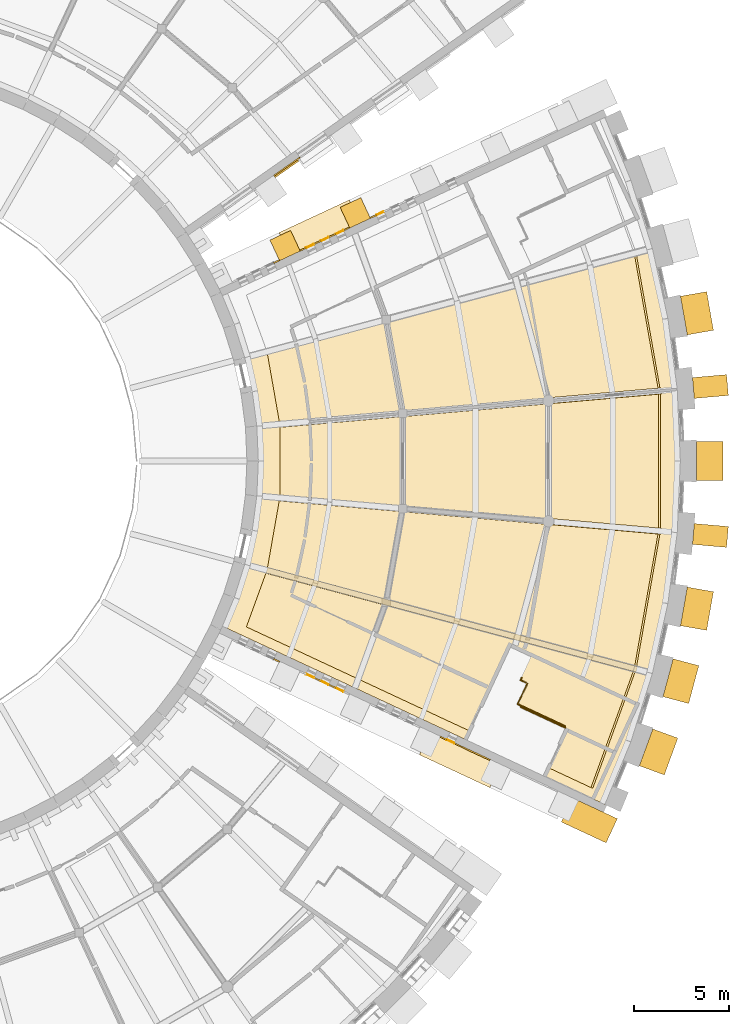
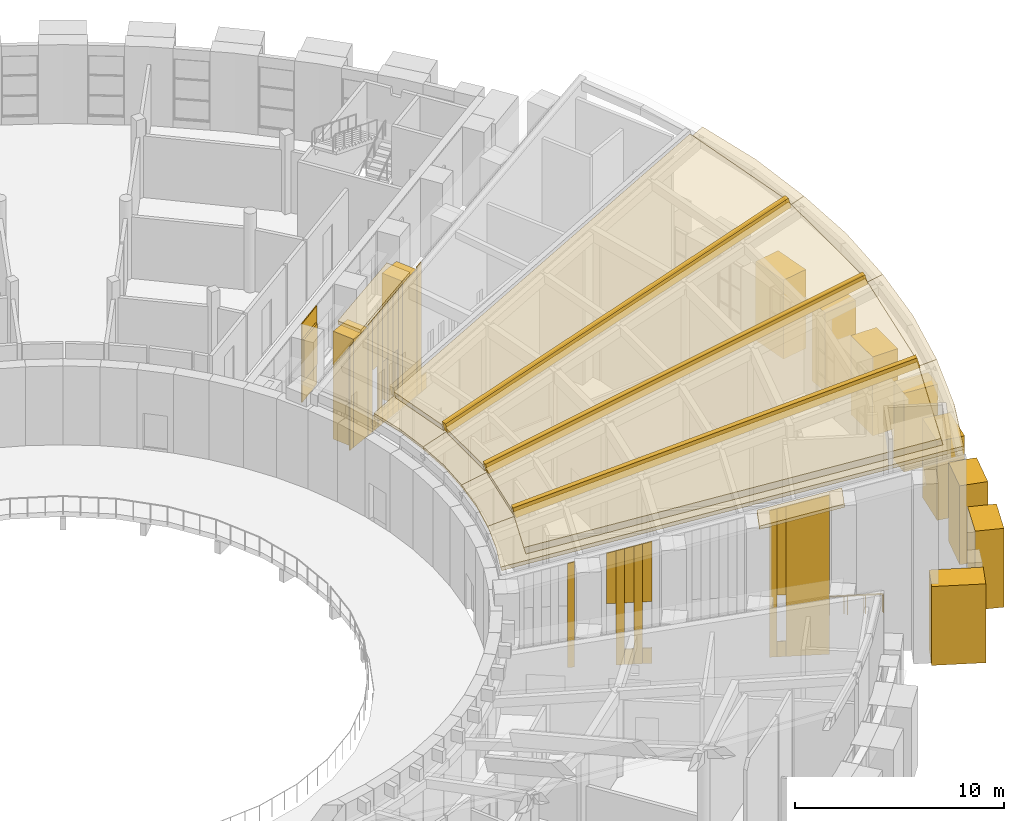
# One storey, part 43 of 50: 50 coverings, 2 railings.
"""IFC4 building model written with IfcOpenShell, lengths in metres."""

from ifc_helpers import new_model, si_unit, direction, frame, origin, origin_2d, place, context, subcontext, project, spatial, polyline, rectangle, circle, outline, extrude, material, layer, layer_set, type_object, element, save


model = new_model("IFC4")

# Units and contexts
model_context = context("Model", 3, precision=1e-05, world=origin(), true_north=direction((0.0, 1.0)))
body_context = subcontext(model_context, "Body", "Model", "MODEL_VIEW")
ifc_project = project(units=[si_unit("LENGTHUNIT", "METRE"), si_unit("AREAUNIT", "SQUARE_METRE"), si_unit("VOLUMEUNIT", "CUBIC_METRE"), si_unit("PLANEANGLEUNIT", "RADIAN"), si_unit("MASSUNIT", "GRAM", prefix="KILO")], contexts=[model_context])

# Site, building, storey
site_placement = place(None, origin())
site = spatial("IfcSite", under=ifc_project, at=site_placement, CompositionType="ELEMENT")
building_placement = place(site_placement, origin())
building = spatial("IfcBuilding", under=site, at=building_placement, Name="Volute Hill Aquarium", CompositionType="ELEMENT")
storey_placement = place(building_placement, frame((0.0, 0.0, 9.199951171875)))
storey = spatial("IfcBuildingStorey", under=building, at=storey_placement, Name="L03", CompositionType="ELEMENT", Elevation=9.199951171875)

# Coverings
ifc_material_1 = material(Name="Aluminium", Category="aluminium")
ifc_layer_1 = layer(ifc_material_1, 0.10009765625)
ifc_layer_set_1 = layer_set([ifc_layer_1], Name="End wall plant louvre panel 100")
covering_type_1 = type_object("IfcCoveringType", Name="End wall plant louvre panel 100", PredefinedType="CLADDING", material=ifc_layer_set_1)
covering_1_placement = place(storey_placement, frame((22.4892578125, 15.380859375, 1.300048828125), z_axis=(0.0, 0.0, 1.0), x_axis=(0.819150254575, 0.573578992319, 0.0)))
element("IfcCovering", 1, at=covering_1_placement, inside=storey, type_object=covering_type_1, Name="End wall plant louvre EWV S5A L03 2", PredefinedType="CLADDING", context=body_context, shape_type="SweptSolid", body=[
    extrude(rectangle(XDim=1.51611328125, YDim=0.10009765625, at=origin_2d()), origin(), (0.0, 0.0, 1.0), 2.39990234375),
])
ifc_material_2 = material(Name="Precast concrete C40/50", Category="concrete")
covering_type_2 = type_object("IfcCoveringType", Name="End wall precast coping C40/50 1350x200", PredefinedType="CLADDING", material=ifc_material_2)
covering_2_placement = place(storey_placement, frame((29.47802734375, -15.4560546875, 8.390625), z_axis=(-0.422632963548, -0.906300931326, 0.0), x_axis=(0.87775982678, -0.409323464263, 0.248981903148)))
element("IfcCovering", 2, at=covering_2_placement, inside=storey, type_object=covering_type_2, Name="End wall coping EWC S4A L03 4", PredefinedType="CLADDING", context=body_context, shape_type="SweptSolid", body=[
    extrude(outline(polyline([(0.0, 0.0), (4.208545075965912, 0.0), (4.25832929927611, 0.19365433701207424), (0.04978422331019887, 0.19365433701207427), (0.0, 0.0)])), origin(), (0.0, 0.0, -1.0), 1.35009765625),
])
covering_3_placement = place(storey_placement, frame((22.66015625, 10.787353515625, 6.294921875), z_axis=(0.42258376343, -0.906323873064, 0.0), x_axis=(0.877780668574, 0.40927517129, 0.24898781505)))
element("IfcCovering", 3, at=covering_3_placement, inside=storey, type_object=covering_type_2, Name="End wall coping EWC S4B L03 2", PredefinedType="CLADDING", context=body_context, shape_type="SweptSolid", body=[
    extrude(outline(polyline([(0.0, 0.0), (4.208445149374588, 0.0), (4.2582305547764046, 0.19365403311876173), (0.049785405401817154, 0.19365403311876184), (0.0, 0.0)])), origin(), (0.0, 0.0, -1.0), 1.35009765625),
])
ifc_material_3 = material(Name="Precast concrete C40/50", Category="concrete")
covering_type_3 = type_object("IfcCoveringType", Name="End wall precast fin C40/50 1200x1200", PredefinedType="CLADDING", material=ifc_material_3)
covering_4_placement = place(storey_placement, frame((22.406494140625, 11.3310546875, 0.0), z_axis=(0.0, 0.0, 1.0), x_axis=(0.906306960471, 0.422620034311, 0.0)))
element("IfcCovering", 4, at=covering_4_placement, inside=storey, type_object=covering_type_3, Name="End wall fin EWF S4B L03 2", PredefinedType="CLADDING", context=body_context, shape_type="SweptSolid", body=[
    extrude(rectangle(XDim=1.199951171875, YDim=1.199951171875, at=origin_2d()), origin(), (0.0, 0.0, 1.0), 6.294921875),
])
covering_5_placement = place(storey_placement, frame((26.100830078125, 13.0537109375, 0.0), z_axis=(0.0, 0.0, 1.0), x_axis=(0.906306960471, 0.422620034311, 0.0)))
element("IfcCovering", 5, at=covering_5_placement, inside=storey, type_object=covering_type_3, Name="End wall fin EWF S4B L03 3", PredefinedType="CLADDING", context=body_context, shape_type="SweptSolid", body=[
    extrude(rectangle(XDim=1.199951171875, YDim=1.199951171875, at=origin_2d()), origin(), (0.0, 0.0, 1.0), 7.3427734375),
])
ifc_material_4 = material(Name="Precast concrete C40/50", Category="concrete")
ifc_layer_2 = layer(ifc_material_4, 0.050048828125)
ifc_layer_set_2 = layer_set([ifc_layer_2], Name="End wall precast infill panel C40/50 50")
covering_type_4 = type_object("IfcCoveringType", Name="End wall precast infill panel C40/50 50", PredefinedType="CLADDING", material=ifc_layer_set_2)
covering_6_placement = place(storey_placement, frame((21.80517578125, -10.44384765625, 0.0), z_axis=(-0.422634868528, -0.90630004298, 0.0), x_axis=(0.90630004298, -0.422634868528, 0.0)))
element("IfcCovering", 6, at=covering_6_placement, inside=storey, type_object=covering_type_4, Name="End wall panel EWP S4A L03 1", PredefinedType="CLADDING", context=body_context, shape_type="SweptSolid", body=[
    extrude(outline(polyline([(0.0, 0.0), (0.32002543169529934, 0.0), (0.32002543169529934, 6.140625), (0.0, 6.058349609375), (0.0, 0.0)])), origin(), (0.0, 0.0, -1.0), 0.050048828125),
])
covering_7_placement = place(storey_placement, frame((23.500244140625, -11.234130859375, 3.60009765625), z_axis=(-0.422529111883, -0.90634935296, 0.0), x_axis=(0.90634935296, -0.422529111883, 0.0)))
element("IfcCovering", 7, at=covering_7_placement, inside=storey, type_object=covering_type_4, Name="End wall panel EWP S4A L03 2", PredefinedType="CLADDING", context=body_context, shape_type="SweptSolid", body=[
    extrude(outline(polyline([(0.0, 0.0), (0.4501122917366558, 0.0), (0.4501122917366558, 3.0546875), (0.0, 2.93896484375), (0.0, 0.0)])), origin(), (0.0, 0.0, -1.0), 0.050048828125),
])
covering_8_placement = place(storey_placement, frame((23.908203125, -11.42431640625, 0.0), z_axis=(-0.422917846092, -0.906168028269, 0.0), x_axis=(0.906168028269, -0.422917846092, 0.0)))
element("IfcCovering", 8, at=covering_8_placement, inside=storey, type_object=covering_type_4, Name="End wall panel EWP S4A L03 2", PredefinedType="CLADDING", context=body_context, shape_type="SweptSolid", body=[
    extrude(outline(polyline([(0.0, 0.0), (0.41275285138278023, 0.0), (0.41275285138278023, 6.760986328125), (0.0, 6.65478515625), (0.0, 0.0)])), origin(), (0.0, 0.0, -1.0), 0.050048828125),
])
covering_9_placement = place(storey_placement, frame((24.2822265625, -11.598876953125, 0.0), z_axis=(-0.422529111883, -0.90634935296, 0.0), x_axis=(0.90634935296, -0.422529111883, 0.0)))
element("IfcCovering", 9, at=covering_9_placement, inside=storey, type_object=covering_type_4, Name="End wall panel EWP S4A L03 2", PredefinedType="CLADDING", context=body_context, shape_type="SweptSolid", body=[
    extrude(outline(polyline([(0.0, 0.0), (0.4501122917366558, 0.0), (0.4501122917366558, 0.900146484375), (0.0, 0.900146484375), (0.0, 0.0)])), origin(), (0.0, 0.0, -1.0), 0.050048828125),
])
covering_10_placement = place(storey_placement, frame((24.2822265625, -11.598876953125, 3.60009765625), z_axis=(-0.422529111883, -0.90634935296, 0.0), x_axis=(0.90634935296, -0.422529111883, 0.0)))
element("IfcCovering", 10, at=covering_10_placement, inside=storey, type_object=covering_type_4, Name="End wall panel EWP S4A L03 2", PredefinedType="CLADDING", context=body_context, shape_type="SweptSolid", body=[
    extrude(outline(polyline([(0.0, 0.0), (0.4501122917366558, 0.0), (0.4501122917366558, 3.276611328125), (0.0, 3.160888671875), (0.0, 0.0)])), origin(), (0.0, 0.0, -1.0), 0.050048828125),
])
covering_11_placement = place(storey_placement, frame((24.690185546875, -11.7890625, 0.0), z_axis=(-0.422917846092, -0.906168028269, 0.0), x_axis=(0.906168028269, -0.422917846092, 0.0)))
element("IfcCovering", 11, at=covering_11_placement, inside=storey, type_object=covering_type_4, Name="End wall panel EWP S4A L03 2", PredefinedType="CLADDING", context=body_context, shape_type="SweptSolid", body=[
    extrude(outline(polyline([(0.0, 0.0), (0.41275285138278023, 0.0), (0.41275285138278023, 6.98291015625), (0.0, 6.876708984375), (0.0, 0.0)])), origin(), (0.0, 0.0, -1.0), 0.050048828125),
])
covering_12_placement = place(storey_placement, frame((25.064208984375, -11.963623046875, 0.0), z_axis=(-0.422291078123, -0.906460283376, 0.0), x_axis=(0.906460283376, -0.422291078123, 0.0)))
element("IfcCovering", 12, at=covering_12_placement, inside=storey, type_object=covering_type_4, Name="End wall panel EWP S4A L03 2", PredefinedType="CLADDING", context=body_context, shape_type="SweptSolid", body=[
    extrude(outline(polyline([(0.0, 0.0), (0.44978787402765147, 0.0), (0.44978787402765147, 0.900146484375), (0.0, 0.900146484375), (0.0, 0.0)])), origin(), (0.0, 0.0, -1.0), 0.050048828125),
])
covering_13_placement = place(storey_placement, frame((25.064208984375, -11.963623046875, 3.60009765625), z_axis=(-0.422291078123, -0.906460283376, 0.0), x_axis=(0.906460283376, -0.422291078123, 0.0)))
element("IfcCovering", 13, at=covering_13_placement, inside=storey, type_object=covering_type_4, Name="End wall panel EWP S4A L03 2", PredefinedType="CLADDING", context=body_context, shape_type="SweptSolid", body=[
    extrude(outline(polyline([(0.0, 0.0), (0.44978787402765147, 0.0), (0.44978787402765147, 3.498291015625), (0.0, 3.3828125), (0.0, 0.0)])), origin(), (0.0, 0.0, -1.0), 0.050048828125),
])
covering_14_placement = place(storey_placement, frame((30.571044921875, -14.531494140625, 0.0), z_axis=(-0.422503748493, -0.906361176634, 0.0), x_axis=(0.906361176634, -0.422503748493, 0.0)))
element("IfcCovering", 14, at=covering_14_placement, inside=storey, type_object=covering_type_4, Name="End wall panel EWP S4A L03 4", PredefinedType="CLADDING", context=body_context, shape_type="SweptSolid", body=[
    extrude(outline(polyline([(0.0, 0.0), (0.35017255888939314, 0.0), (0.35017255888939314, 8.635009765625), (0.0, 8.544921875), (0.0, 0.0)])), origin(), (0.0, 0.0, -1.0), 0.050048828125),
])
covering_15_placement = place(storey_placement, frame((30.888427734375, -14.679443359375, 0.0), z_axis=(-0.422529111883, -0.90634935296, 0.0), x_axis=(0.90634935296, -0.422529111883, 0.0)))
element("IfcCovering", 15, at=covering_15_placement, inside=storey, type_object=covering_type_4, Name="End wall panel EWP S4A L03 4", PredefinedType="CLADDING", context=body_context, shape_type="SweptSolid", body=[
    extrude(outline(polyline([(0.0, 0.0), (0.4501122917366558, 0.0), (0.4501122917366558, 0.900146484375), (0.0, 0.900146484375), (0.0, 0.0)])), origin(), (0.0, 0.0, -1.0), 0.050048828125),
])
covering_16_placement = place(storey_placement, frame((30.888427734375, -14.679443359375, 3.60009765625), z_axis=(-0.422529111883, -0.90634935296, 0.0), x_axis=(0.90634935296, -0.422529111883, 0.0)))
element("IfcCovering", 16, at=covering_16_placement, inside=storey, type_object=covering_type_4, Name="End wall panel EWP S4A L03 4", PredefinedType="CLADDING", context=body_context, shape_type="SweptSolid", body=[
    extrude(outline(polyline([(0.0, 0.0), (0.4501122917366558, 0.0), (0.4501122917366558, 5.150634765625), (0.0, 5.034912109375), (0.0, 0.0)])), origin(), (0.0, 0.0, -1.0), 0.050048828125),
])
covering_17_placement = place(storey_placement, frame((31.29638671875, -14.86962890625, 0.0), z_axis=(-0.42258282485, -0.906324310687, 0.0), x_axis=(0.906324310687, -0.42258282485, 0.0)))
element("IfcCovering", 17, at=covering_17_placement, inside=storey, type_object=covering_type_4, Name="End wall panel EWP S4A L03 4", PredefinedType="CLADDING", context=body_context, shape_type="SweptSolid", body=[
    extrude(outline(polyline([(0.0, 0.0), (2.0757996161714036, 0.0), (2.0757996161714036, 9.2841796875), (0.0, 8.750732421875), (0.0, 0.0)])), origin(), (0.0, 0.0, -1.0), 0.050048828125),
])
covering_18_placement = place(storey_placement, frame((21.826171875, 10.3984375, 0.0), z_axis=(0.422634868528, -0.90630004298, 0.0), x_axis=(0.90630004298, 0.422634868528, 0.0)))
element("IfcCovering", 18, at=covering_18_placement, inside=storey, type_object=covering_type_4, Name="End wall panel EWP S4B L03 1", PredefinedType="CLADDING", context=body_context, shape_type="SweptSolid", body=[
    extrude(outline(polyline([(0.0, 0.0), (0.32002543169529934, 0.0), (0.32002543169529934, 6.140625), (0.0, 6.058349609375), (0.0, 0.0)])), origin(), (0.0, 0.0, -1.0), 0.050048828125),
])
covering_19_placement = place(storey_placement, frame((23.203857421875, 11.040771484375, 0.0), z_axis=(0.422503748493, -0.906361176634, 0.0), x_axis=(0.906361176634, 0.422503748493, 0.0)))
element("IfcCovering", 19, at=covering_19_placement, inside=storey, type_object=covering_type_4, Name="End wall panel EWP S4B L03 2", PredefinedType="CLADDING", context=body_context, shape_type="SweptSolid", body=[
    extrude(outline(polyline([(0.0, 0.0), (0.35017255888939314, 0.0), (0.35017255888939314, 6.539062500000002), (0.0, 6.449218750000002), (0.0, 0.0)])), origin(), (0.0, 0.0, -1.0), 0.050048828125),
])
covering_20_placement = place(storey_placement, frame((23.521240234375, 11.188720703125, 0.0), z_axis=(0.422529111883, -0.90634935296, 0.0), x_axis=(0.90634935296, 0.422529111883, 0.0)))
element("IfcCovering", 20, at=covering_20_placement, inside=storey, type_object=covering_type_4, Name="End wall panel EWP S4B L03 2", PredefinedType="CLADDING", context=body_context, shape_type="SweptSolid", body=[
    extrude(outline(polyline([(0.0, 0.0), (0.4501122917366558, 0.0), (0.4501122917366558, 0.900146484375), (0.0, 0.900146484375), (0.0, 0.0)])), origin(), (0.0, 0.0, -1.0), 0.050048828125),
])
covering_21_placement = place(storey_placement, frame((23.521240234375, 11.188720703125, 3.60009765625), z_axis=(0.422529111883, -0.90634935296, 0.0), x_axis=(0.90634935296, 0.422529111883, 0.0)))
element("IfcCovering", 21, at=covering_21_placement, inside=storey, type_object=covering_type_4, Name="End wall panel EWP S4B L03 2", PredefinedType="CLADDING", context=body_context, shape_type="SweptSolid", body=[
    extrude(outline(polyline([(0.0, 0.0), (0.4501122917366558, 0.0), (0.4501122917366558, 3.0546875), (0.0, 2.93896484375), (0.0, 0.0)])), origin(), (0.0, 0.0, -1.0), 0.050048828125),
])
covering_22_placement = place(storey_placement, frame((23.92919921875, 11.37890625, 0.0), z_axis=(0.422917846092, -0.906168028269, 0.0), x_axis=(0.906168028269, 0.422917846092, 0.0)))
element("IfcCovering", 22, at=covering_22_placement, inside=storey, type_object=covering_type_4, Name="End wall panel EWP S4B L03 2", PredefinedType="CLADDING", context=body_context, shape_type="SweptSolid", body=[
    extrude(outline(polyline([(0.0, 0.0), (0.41275285138278023, 0.0), (0.41275285138278023, 6.760986328125), (0.0, 6.65478515625), (0.0, 0.0)])), origin(), (0.0, 0.0, -1.0), 0.050048828125),
])
covering_23_placement = place(storey_placement, frame((24.30322265625, 11.553466796875, 0.0), z_axis=(0.422529111883, -0.90634935296, 0.0), x_axis=(0.90634935296, 0.422529111883, 0.0)))
element("IfcCovering", 23, at=covering_23_placement, inside=storey, type_object=covering_type_4, Name="End wall panel EWP S4B L03 2", PredefinedType="CLADDING", context=body_context, shape_type="SweptSolid", body=[
    extrude(outline(polyline([(0.0, 0.0), (0.4501122917366558, 0.0), (0.4501122917366558, 0.900146484375), (0.0, 0.900146484375), (0.0, 0.0)])), origin(), (0.0, 0.0, -1.0), 0.050048828125),
])
covering_24_placement = place(storey_placement, frame((24.30322265625, 11.553466796875, 3.60009765625), z_axis=(0.422529111883, -0.90634935296, 0.0), x_axis=(0.90634935296, 0.422529111883, 0.0)))
element("IfcCovering", 24, at=covering_24_placement, inside=storey, type_object=covering_type_4, Name="End wall panel EWP S4B L03 2", PredefinedType="CLADDING", context=body_context, shape_type="SweptSolid", body=[
    extrude(outline(polyline([(0.0, 0.0), (0.4501122917366558, 0.0), (0.4501122917366558, 3.276611328125), (0.0, 3.160888671875), (0.0, 0.0)])), origin(), (0.0, 0.0, -1.0), 0.050048828125),
])
covering_25_placement = place(storey_placement, frame((24.711181640625, 11.74365234375, 0.0), z_axis=(0.422917846092, -0.906168028269, 0.0), x_axis=(0.906168028269, 0.422917846092, 0.0)))
element("IfcCovering", 25, at=covering_25_placement, inside=storey, type_object=covering_type_4, Name="End wall panel EWP S4B L03 2", PredefinedType="CLADDING", context=body_context, shape_type="SweptSolid", body=[
    extrude(outline(polyline([(0.0, 0.0), (0.41275285138278023, 0.0), (0.41275285138278023, 6.98291015625), (0.0, 6.876708984375), (0.0, 0.0)])), origin(), (0.0, 0.0, -1.0), 0.050048828125),
])
covering_26_placement = place(storey_placement, frame((25.085205078125, 11.918212890625, 0.0), z_axis=(0.422291078123, -0.906460283376, 0.0), x_axis=(0.906460283376, 0.422291078123, 0.0)))
element("IfcCovering", 26, at=covering_26_placement, inside=storey, type_object=covering_type_4, Name="End wall panel EWP S4B L03 2", PredefinedType="CLADDING", context=body_context, shape_type="SweptSolid", body=[
    extrude(outline(polyline([(0.0, 0.0), (0.44978787402765147, 0.0), (0.44978787402765147, 0.900146484375), (0.0, 0.900146484375), (0.0, 0.0)])), origin(), (0.0, 0.0, -1.0), 0.050048828125),
])
covering_27_placement = place(storey_placement, frame((25.085205078125, 11.918212890625, 3.60009765625), z_axis=(0.422291078123, -0.906460283376, 0.0), x_axis=(0.906460283376, 0.422291078123, 0.0)))
element("IfcCovering", 27, at=covering_27_placement, inside=storey, type_object=covering_type_4, Name="End wall panel EWP S4B L03 2", PredefinedType="CLADDING", context=body_context, shape_type="SweptSolid", body=[
    extrude(outline(polyline([(0.0, 0.0), (0.44978787402765147, 0.0), (0.44978787402765147, 3.498291015625), (0.0, 3.3828125), (0.0, 0.0)])), origin(), (0.0, 0.0, -1.0), 0.050048828125),
])
covering_28_placement = place(storey_placement, frame((25.492919921875, 12.108154296875, 0.0), z_axis=(0.422809198631, -0.906218727214, 0.0), x_axis=(0.906218727214, 0.422809198631, 0.0)))
element("IfcCovering", 28, at=covering_28_placement, inside=storey, type_object=covering_type_4, Name="End wall panel EWP S4B L03 2", PredefinedType="CLADDING", context=body_context, shape_type="SweptSolid", body=[
    extrude(outline(polyline([(0.0, 0.0), (0.35049700870951644, 0.0), (0.35049700870951644, 7.1884765625), (0.0, 7.098388671875), (0.0, 0.0)])), origin(), (0.0, 0.0, -1.0), 0.050048828125),
])
covering_29_placement = place(storey_placement, frame((26.89794921875, 12.763427734375, 0.0), z_axis=(0.422503748493, -0.906361176634, 0.0), x_axis=(0.906361176634, 0.422503748493, 0.0)))
element("IfcCovering", 29, at=covering_29_placement, inside=storey, type_object=covering_type_4, Name="End wall panel EWP S4B L03 3", PredefinedType="CLADDING", context=body_context, shape_type="SweptSolid", body=[
    extrude(outline(polyline([(0.0, 0.0), (0.35017255888939314, 0.0), (0.35017255888939314, 7.5869140625), (0.0, 7.4970703125), (0.0, 0.0)])), origin(), (0.0, 0.0, -1.0), 0.050048828125),
])
covering_30_placement = place(storey_placement, frame((27.21533203125, 12.911376953125, 0.0), z_axis=(0.422529111883, -0.90634935296, 0.0), x_axis=(0.90634935296, 0.422529111883, 0.0)))
element("IfcCovering", 30, at=covering_30_placement, inside=storey, type_object=covering_type_4, Name="End wall panel EWP S4B L03 3", PredefinedType="CLADDING", context=body_context, shape_type="SweptSolid", body=[
    extrude(outline(polyline([(0.0, 0.0), (0.4501122917366558, 0.0), (0.4501122917366558, 0.900146484375), (0.0, 0.900146484375), (0.0, 0.0)])), origin(), (0.0, 0.0, -1.0), 0.050048828125),
])
covering_31_placement = place(storey_placement, frame((21.839599609375, 14.98681640625, 0.0), z_axis=(0.573659010364, -0.81909421914, 0.0), x_axis=(0.81909421914, 0.573659010364, 0.0)))
element("IfcCovering", 31, at=covering_31_placement, inside=storey, type_object=covering_type_4, Name="End wall panel EWP S5A L03 2", PredefinedType="CLADDING", context=body_context, shape_type="SweptSolid", body=[
    extrude(outline(polyline([(0.0, 0.0), (1.6661649683999993, 0.0), (1.6661649683999993, 4.60009765625), (0.0, 4.60009765625), (0.0, 0.0)])), origin(), (0.0, 0.0, -1.0), 0.050048828125),
])
ifc_material_5 = material(Name="Sedum blanket")
ifc_layer_3 = layer(ifc_material_5, 0.219970703125)
ifc_layer_set_3 = layer_set([ifc_layer_3], Name="Green roof build-up sedum 220")
covering_type_5 = type_object("IfcCoveringType", Name="Green roof build-up sedum 220", PredefinedType="ROOFING", material=ifc_layer_set_3)
covering_32_placement = place(storey_placement, frame((20.284423828125, -5.435302734375, 5.727294921875), z_axis=(-0.234812587383, 0.085451891563, 0.968277348199), x_axis=(-0.300780290562, -0.95362747972, 0.011218142971)))
element("IfcCovering", 32, at=covering_32_placement, inside=storey, type_object=covering_type_5, Name="Planted roof RF S4 1", PredefinedType="ROOFING", context=body_context, shape_type="SweptSolid", body=[
    extrude(outline(polyline([(0.0, 0.0), (1.8320218956754337, 6.938893903907228e-18), (3.4572424839364952, -0.1465117125198145), (6.4166863274483745, 22.583089950032548), (2.8624386082915083, 22.903811355588243), (-0.9064768756216365, 22.903442503480097), (0.0, 0.0)])), origin(), (0.0, 0.0, -1.0), 0.219970703125),
])
covering_33_placement = place(storey_placement, frame((41.7275390625, -11.180908203125, 11.434326171875), z_axis=(-0.246081485356, 0.043393102408, 0.968277305955), x_axis=(0.21642074445, 0.976235345181, 0.01125220831)))
element("IfcCovering", 33, at=covering_33_placement, inside=storey, type_object=covering_type_5, Name="Planted roof RF S4 2", PredefinedType="ROOFING", context=body_context, shape_type="SweptSolid", body=[
    extrude(outline(polyline([(0.0, 0.0), (3.76900939420654, -2.949029909160572e-17), (7.522533720003687, 0.33913986606495006), (4.5610086210362235, 23.06832539497853), (2.7364573815680515, 22.903636452683685), (0.9041114712597048, 22.903535999624523), (0.0, 0.0)])), origin(), (0.0, 0.0, -1.0), 0.219970703125),
])
covering_34_placement = place(storey_placement, frame((43.03515625, -3.76513671875, 11.434326171875), z_axis=(-0.249877140156, 0.0, 0.968277550513), x_axis=(0.043660369758, 0.998982894471, 0.011267149928)))
element("IfcCovering", 34, at=covering_34_placement, inside=storey, type_object=covering_type_5, Name="Planted roof RF S4 3", PredefinedType="ROOFING", context=body_context, shape_type="SweptSolid", body=[
    extrude(outline(polyline([(0.0, 0.0), (3.768970159138619, 5.204170427930421e-18), (7.522614354749592, 0.33954574542090776), (4.559917184529748, 23.068578527282714), (2.7351731956767433, 22.903705854404098), (0.9029959150732776, 22.903517286625178), (0.0, 0.0)])), origin(), (0.0, 0.0, -1.0), 0.219970703125),
])
covering_35_placement = place(storey_placement, frame((43.03515625, 3.76513671875, 11.434326171875), z_axis=(-0.246081485356, -0.043393102408, 0.968277305955), x_axis=(-0.130526082076, 0.991380977069, 0.011256118512)))
element("IfcCovering", 35, at=covering_35_placement, inside=storey, type_object=covering_type_5, Name="Planted roof RF S4 4", PredefinedType="ROOFING", context=body_context, shape_type="SweptSolid", body=[
    extrude(outline(polyline([(0.0, 0.0), (3.7688142317054414, 6.071532165918825e-17), (7.5225329282384, 0.3391574279240427), (4.561095763721694, 23.068417617362215), (2.736174557100685, 22.903632500499494), (0.9042057673535028, 22.903469554848524), (0.0, 0.0)])), origin(), (0.0, 0.0, -1.0), 0.219970703125),
])

# Railings
ifc_material_6 = material(Name="Stainless steel 1.4301", Category="steel")
railing_type = type_object("IfcRailingType", Name="Guard 1100 stainless", PredefinedType="GUARDRAIL", material=ifc_material_6)
railing_1_placement = place(storey_placement, frame((37.14501953125, -14.0439453125, 0.0)))
element("IfcRailing", 36, at=railing_1_placement, inside=storey, type_object=railing_type, Name="gd/S4-A/L03/edge", PredefinedType="GUARDRAIL", context=body_context, shape_type="SweptSolid", body=[
    extrude(circle(Radius=0.02392578125, at=origin_2d()), frame((0.0, 0.0, 1.076171875), z_axis=(-0.906300648467, 0.422633570115, 0.0), x_axis=(-0.422633570115, -0.906300648467, 0.0)), (0.0, 0.0, 1.0), 2.60009765625),
    extrude(circle(Radius=0.02099609375, at=origin_2d()), origin(), (0.0, 0.0, 1.0), 1.052001953125),
    extrude(circle(Radius=0.02099609375, at=origin_2d()), frame((-0.785400390625, 0.3662109375, 0.0)), (0.0, 0.0, 1.0), 1.052001953125),
    extrude(circle(Radius=0.02099609375, at=origin_2d()), frame((-1.571044921875, 0.732666015625, 0.0)), (0.0, 0.0, 1.0), 1.052001953125),
    extrude(circle(Radius=0.02099609375, at=origin_2d()), frame((-2.3564453125, 1.098876953125, 0.0)), (0.0, 0.0, 1.0), 1.052001953125),
])
railing_2_placement = place(storey_placement, frame((34.84912109375, -11.3955078125, 0.0)))
element("IfcRailing", 37, at=railing_2_placement, inside=storey, type_object=railing_type, Name="gd/S4-A/L03/well", PredefinedType="GUARDRAIL", context=body_context, shape_type="SweptSolid", body=[
    extrude(circle(Radius=0.02392578125, at=origin_2d()), frame((0.0, 0.0, 1.076171875), z_axis=(-0.422974523056, -0.906141574394, 0.0), x_axis=(0.906141574394, -0.422974523056, 0.0)), (0.0, 0.0, 1.0), 0.150146484375),
    extrude(circle(Radius=0.02392578125, at=origin_2d()), frame((-0.0634765625, -0.135986328125, 1.076171875), z_axis=(0.906416906794, -0.422384174748, 0.0), x_axis=(0.422384174748, 0.906416906794, 0.0)), (0.0, 0.0, 1.0), 0.39990234375),
    extrude(circle(Radius=0.02392578125, at=origin_2d()), frame((0.299072265625, -0.304931640625, 1.076171875), z_axis=(-0.422551314709, -0.90633900194, 0.0), x_axis=(0.90633900194, -0.422551314709, 0.0)), (0.0, 0.0, 1.0), 1.199951171875),
    extrude(circle(Radius=0.02392578125, at=origin_2d()), frame((-0.2080078125, -1.392578125, 1.076171875), z_axis=(0.906325974127, -0.422579257209, 0.0), x_axis=(0.422579257209, 0.906325974127, 0.0)), (0.0, 0.0, 1.0), 2.75),
    extrude(circle(Radius=0.02099609375, at=origin_2d()), origin(), (0.0, 0.0, 1.0), 1.052001953125),
    extrude(circle(Radius=0.02099609375, at=origin_2d()), frame((-0.0634765625, -0.135986328125, 0.0)), (0.0, 0.0, 1.0), 1.052001953125),
    extrude(circle(Radius=0.02099609375, at=origin_2d()), frame((0.299072265625, -0.304931640625, 0.0)), (0.0, 0.0, 1.0), 1.052001953125),
    extrude(circle(Radius=0.02099609375, at=origin_2d()), frame((0.04541015625, -0.8486328125, 0.0)), (0.0, 0.0, 1.0), 1.052001953125),
    extrude(circle(Radius=0.02099609375, at=origin_2d()), frame((-0.2080078125, -1.392578125, 0.0)), (0.0, 0.0, 1.0), 1.052001953125),
    extrude(circle(Radius=0.02099609375, at=origin_2d()), frame((0.622802734375, -1.780029296875, 0.0)), (0.0, 0.0, 1.0), 1.052001953125),
    extrude(circle(Radius=0.02099609375, at=origin_2d()), frame((1.45361328125, -2.167236328125, 0.0)), (0.0, 0.0, 1.0), 1.052001953125),
    extrude(circle(Radius=0.02099609375, at=origin_2d()), frame((2.284423828125, -2.5546875, 0.0)), (0.0, 0.0, 1.0), 1.052001953125),
])

# Coverings
ifc_material_7 = material(Name="Planted growing medium")
ifc_layer_4 = layer(ifc_material_7, 0.39990234375)
ifc_layer_set_4 = layer_set([ifc_layer_4], Name="Planted roof bed 400")
covering_type_6 = type_object("IfcCoveringType", Name="Planted roof bed 400", PredefinedType="CLADDING", material=ifc_layer_set_4)
covering_36_placement = place(storey_placement, frame((40.722900390625, -11.06689453125, 11.59375), z_axis=(-0.23481072321, 0.085466081107, 0.968276547917), x_axis=(-0.93550529489, 0.250667697852, -0.248989052946)))
element("IfcCovering", 38, at=covering_36_placement, inside=storey, type_object=covering_type_6, Name="Planted roof bed RB S4 1", PredefinedType="CLADDING", context=body_context, shape_type="SweptSolid", body=[
    extrude(outline(polyline([(0.0, 0.0), (20.649925159579297, -6.938893903907228e-16), (20.904745450288388, 3.0079492379210317), (0.5491437014662197, 6.481640805947693), (0.0, 0.0)])), origin(), (0.0, 0.0, -1.0), 0.39990234375),
])
covering_37_placement = place(storey_placement, frame((21.482421875, -5.600830078125, 6.4521484375), z_axis=(-0.24608527994, 0.043390684186, 0.968276449947), x_axis=(0.935505172478, -0.250667684524, 0.248989526289)))
element("IfcCovering", 39, at=covering_37_placement, inside=storey, type_object=covering_type_6, Name="Planted roof bed RB S4 2", PredefinedType="CLADDING", context=body_context, shape_type="SweptSolid", body=[
    extrude(outline(polyline([(0.0, 0.0), (20.649925159574938, 4.0245584642661925e-16), (20.054171778960548, 7.0317116158632444), (-0.30137553461702027, 3.558118134990696), (0.0, 0.0)])), origin(), (0.0, 0.0, -1.0), 0.39990234375),
])
covering_38_placement = place(storey_placement, frame((22.128662109375, -1.785400390625, 6.4521484375), z_axis=(-0.24988232524, 0.0, 0.968276212417), x_axis=(0.964820083384, -0.08441555027, 0.248990404579)))
element("IfcCovering", 40, at=covering_38_placement, inside=storey, type_object=covering_type_6, Name="Planted roof bed RB S4 3", PredefinedType="CLADDING", context=body_context, shape_type="SweptSolid", body=[
    extrude(outline(polyline([(0.0, 0.0), (20.649798016102967, -1.6653345369377348e-16), (20.054066596153394, 7.031939453288415), (-0.30143111285485635, 3.5580552979933704), (0.0, 0.0)])), origin(), (0.0, 0.0, -1.0), 0.39990234375),
])
covering_39_placement = place(storey_placement, frame((22.1025390625, 2.084228515625, 6.4521484375), z_axis=(-0.24608527994, -0.043390684186, 0.968276449947), x_axis=(0.964820249792, 0.084415579612, 0.248989749808)))
element("IfcCovering", 41, at=covering_39_placement, inside=storey, type_object=covering_type_6, Name="Planted roof bed RB S4 4", PredefinedType="CLADDING", context=body_context, shape_type="SweptSolid", body=[
    extrude(outline(polyline([(0.0, 0.0), (20.649798016098252, 3.0531133177191805e-16), (20.054226984733646, 7.031727062804619), (-0.30144566058098166, 3.5581121945678245), (0.0, 0.0)])), origin(), (0.0, 0.0, -1.0), 0.39990234375),
])
ifc_material_8 = material(Name="Precast concrete C30/37", Category="concrete")
covering_type_7 = type_object("IfcCoveringType", Name="Planted roof kerb precast concrete C30/37 300x600", PredefinedType="CLADDING", material=ifc_material_8)
covering_40_placement = place(storey_placement, frame((40.800537109375, -10.777099609375, 11.793701171875), z_axis=(-0.23494689432, 0.084967877998, 0.968287362593), x_axis=(-0.935505338886, 0.250667713866, -0.248988871522)))
element("IfcCovering", 42, at=covering_40_placement, inside=storey, type_object=covering_type_7, Name="Planted roof kerb RK S4 1.2", PredefinedType="CLADDING", context=body_context, shape_type="SweptSolid", body=[
    extrude(outline(polyline([(0.0, 0.0), (20.649925159579663, 1.096345236817342e-15), (20.648271209842335, 0.3000821105616131), (-0.0016539497373244875, 0.30008211056161216), (0.0, 0.0)])), origin(), (0.0, 0.0, -1.0), 0.60009765625),
])
covering_41_placement = place(storey_placement, frame((22.1025390625, -2.084228515625, 6.65869140625), z_axis=(-0.246091811119, 0.043267591497, 0.968280298274), x_axis=(0.964821492015, -0.084415797933, 0.248984862201)))
element("IfcCovering", 43, at=covering_41_placement, inside=storey, type_object=covering_type_7, Name="Planted roof kerb RK S4 2.2", PredefinedType="CLADDING", context=body_context, shape_type="SweptSolid", body=[
    extrude(outline(polyline([(0.0, 0.0), (20.64979801576469, -2.7755575615628914e-17), (20.648074233253475, 0.3000406747652287), (-0.0016629951913437826, 0.30003555477851424), (0.0, 0.0)])), origin(), (0.0, 0.0, -1.0), 0.60009765625),
])
covering_42_placement = place(storey_placement, frame((22.128662109375, 1.785400390625, 6.65869140625), z_axis=(-0.249869500613, -8.8521097e-05, 0.968279517922), x_axis=(0.964821513637, 0.084415550778, 0.24898486221)))
element("IfcCovering", 44, at=covering_42_placement, inside=storey, type_object=covering_type_7, Name="Planted roof kerb RK S4 3.2", PredefinedType="CLADDING", context=body_context, shape_type="SweptSolid", body=[
    extrude(outline(polyline([(0.0, 0.0), (20.649798015764695, 9.71445146547012e-17), (20.648117633941375, 0.3000409209702408), (-0.001619594503444508, 0.30003579219473836), (0.0, 0.0)])), origin(), (0.0, 0.0, -1.0), 0.60009765625),
])
ifc_material_9 = material(Name="Precast concrete C40/50", Category="concrete")
covering_type_8 = type_object("IfcCoveringType", Name="Projecting pier precast concrete C40/50 1100x1800", PredefinedType="CLADDING", material=ifc_material_9)
for number, where, z_axis, x_axis, name in (
    (45, (44.78125, -3.917724609375, 0.0), (0.0, 0.0, 1.0), (0.087155742748, 0.996194698092, 0.0), "Projecting pier PP S4 L03 4"),
    (46, (44.78125, 3.917724609375, 0.0), (0.0, 0.0, 1.0), (-0.087155742748, 0.996194698092, 0.0), "Projecting pier PP S4 L03 6"),
):
    element("IfcCovering", number, at=place(storey_placement, frame(where, z_axis=z_axis, x_axis=x_axis)), inside=storey, type_object=covering_type_8, Name=name, PredefinedType="CLADDING", context=body_context, shape_type="SweptSolid", body=[
        extrude(rectangle(XDim=1.10009765625, YDim=1.800048828125, at=origin_2d()), origin(), (0.0, 0.0, 1.0), 4.60009765625),
    ])
ifc_material_10 = material(Name="Precast concrete C40/50", Category="concrete")
covering_type_9 = type_object("IfcCoveringType", Name="Projecting pier precast concrete C40/50 2062x1400", PredefinedType="CLADDING", material=ifc_material_10)
for number, where, z_axis, x_axis, name in (
    (47, (42.05322265625, -15.30615234375, 0.0), (0.0, 0.0, 1.0), (0.342020143326, 0.939692620786, 0.0), "Projecting pier PP S4 L03 1"),
    (48, (43.227294921875, -11.582763671875, 0.0), (0.0, 0.0, 1.0), (0.258819045103, 0.965925826289, 0.0), "Projecting pier PP S4 L03 2"),
    (49, (44.072509765625, -7.77099609375, 0.0), (0.0, 0.0, 1.0), (0.173648177667, 0.984807753012, 0.0), "Projecting pier PP S4 L03 3"),
    (50, (44.752197265625, 0.0, 0.0), (0.0, 0.0, 1.0), (0.0, 1.0, 0.0), "Projecting pier PP S4 L03 5"),
    (51, (44.072509765625, 7.77099609375, 0.0), (0.0, 0.0, 1.0), (-0.173648177667, 0.984807753012, 0.0), "Projecting pier PP S4 L03 7"),
):
    element("IfcCovering", number, at=place(storey_placement, frame(where, z_axis=z_axis, x_axis=x_axis)), inside=storey, type_object=covering_type_9, Name=name, PredefinedType="CLADDING", context=body_context, shape_type="SweptSolid", body=[
        extrude(rectangle(XDim=2.06201171875, YDim=1.39990234375, at=origin_2d()), origin(), (0.0, 0.0, 1.0), 4.60009765625),
    ])
ifc_material_11 = material(Name="Precast concrete C40/50", Category="concrete")
covering_type_10 = type_object("IfcCoveringType", Name="Step pylon precast concrete C40/50 1400x2600", PredefinedType="CLADDING", material=ifc_material_11)
covering_43_placement = place(storey_placement, frame((38.40966796875, -18.90380859375, 0.0), z_axis=(0.0, 0.0, 1.0), x_axis=(0.906307787037, -0.422618261741, 0.0)))
element("IfcCovering", 52, at=covering_43_placement, inside=storey, type_object=covering_type_10, Name="Step pylon SPY S4A L03", PredefinedType="CLADDING", context=body_context, shape_type="SweptSolid", body=[
    extrude(rectangle(XDim=2.60009765625, YDim=1.39990234375, at=origin_2d()), origin(), (0.0, 0.0, 1.0), 4.60009765625),
])

save(model, "model.ifc")
